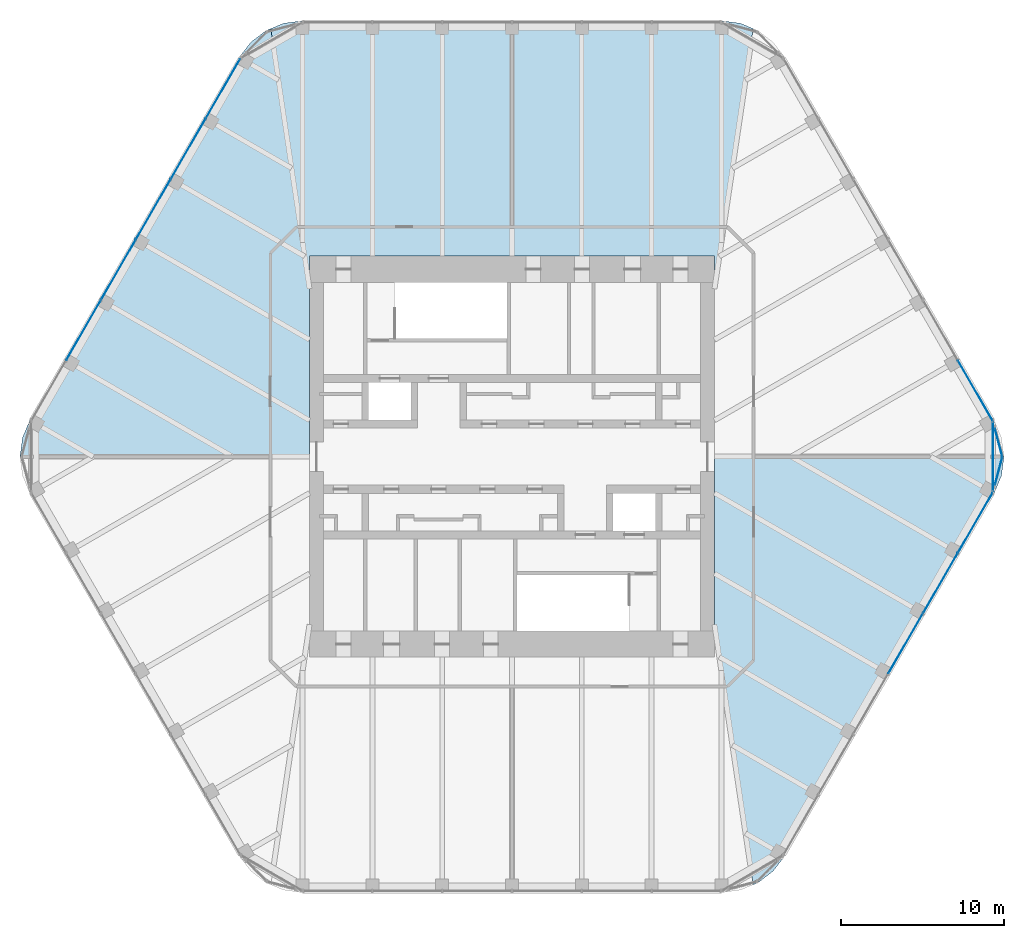
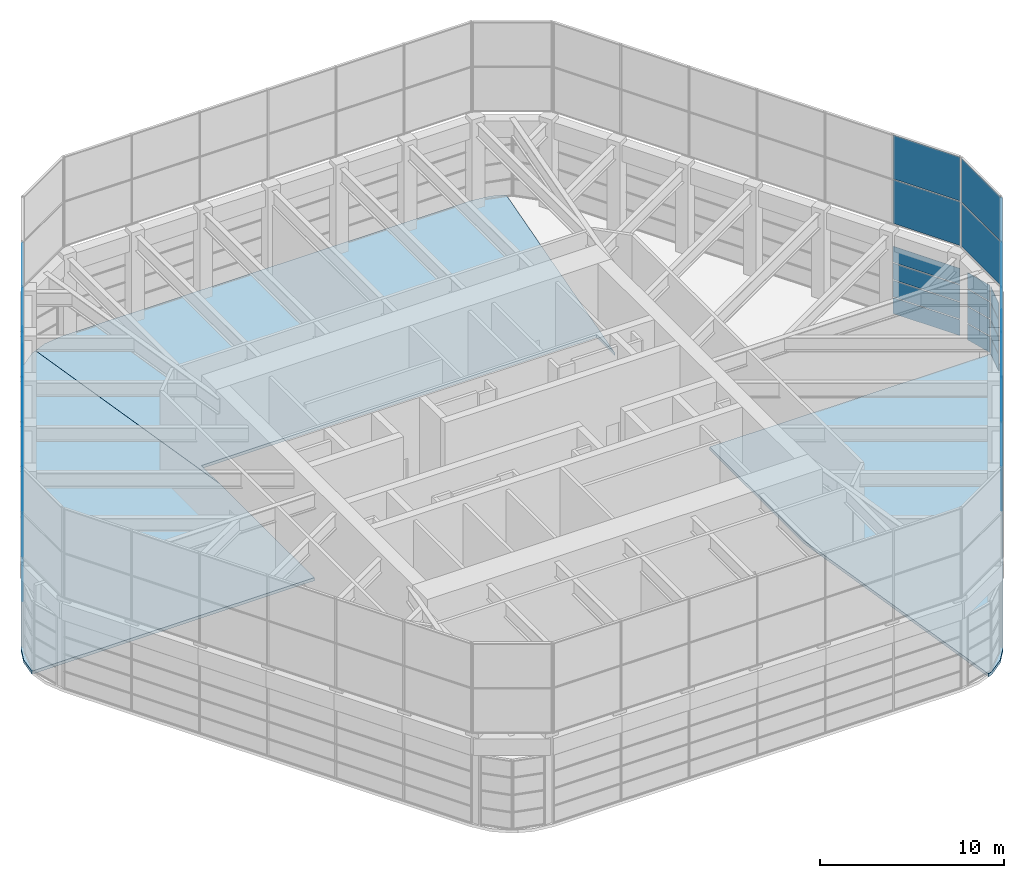
# One storey, part 12 of 17: 61 plates, 3 slabs, 9 elements without a shape of their own.
"""IFC4 building model written with IfcOpenShell, lengths in metres."""

from ifc_helpers import new_model, si_unit, direction, frame, origin, origin_2d, place, context, subcontext, project, spatial, polyline, rectangle, outline, extrude, material, layer, layer_set, type_object, element, aggregate, save


model = new_model("IFC4")

# Units and contexts
model_context = context("Model", 3, precision=1e-05, world=origin(), true_north=direction((0.0, 1.0)))
body_context = subcontext(model_context, "Body", "Model", "MODEL_VIEW")
ifc_project = project(units=[si_unit("LENGTHUNIT", "METRE"), si_unit("AREAUNIT", "SQUARE_METRE"), si_unit("VOLUMEUNIT", "CUBIC_METRE"), si_unit("PLANEANGLEUNIT", "RADIAN"), si_unit("MASSUNIT", "GRAM", prefix="KILO")], contexts=[model_context])

# Site, building, storey
site_placement = place(None, origin())
site = spatial("IfcSite", under=ifc_project, at=site_placement, CompositionType="ELEMENT")
building_placement = place(site_placement, origin())
building = spatial("IfcBuilding", under=site, at=building_placement, Name="Tarfa Lantern Tower", CompositionType="ELEMENT")
storey_placement = place(building_placement, frame((0.0, 0.0, 402.300048828125)))
storey = spatial("IfcBuildingStorey", under=building, at=storey_placement, Name="L91", CompositionType="ELEMENT", Elevation=402.300048828125)

# Curtain wall, plates
ifc_material_1 = material(Name="Aluminium framed curtain wall", Category="aluminium")
curtain_wall_type_1 = type_object("IfcCurtainWallType", Name="CW8 LANTERN GLAZING 4600", PredefinedType="USERDEFINED", material=ifc_material_1)
curtain_wall_1_placement = place(storey_placement, origin())
curtain_wall_1 = element("IfcCurtainWall", 1, at=curtain_wall_1_placement, inside=storey, type_object=curtain_wall_type_1, Name="CW8 SENE1 L91", ObjectType="CURTAIN WALL", PredefinedType="USERDEFINED")
ifc_material_2 = material(Name="Laminated double glazing", Category="glass")
ifc_layer_1 = layer(ifc_material_2, 0.028076171875)
ifc_layer_set_1 = layer_set([ifc_layer_1], Name="CWP1 DOUBLE GLAZED PANEL")
plate_type = type_object("IfcPlateType", Name="CWP1 DOUBLE GLAZED PANEL", PredefinedType="CURTAIN_PANEL", material=ifc_layer_set_1)
plate_1_placement = place(storey_placement, frame((29.8544921875, -0.886962890625, 0.06494140625), z_axis=(0.0, 0.0, 1.0), x_axis=(0.258818953611, 0.965925850804, 0.0)))
plate_1 = element("IfcPlate", 2, at=plate_1_placement, type_object=plate_type, Name="CW8 panel 1.1", PredefinedType="CURTAIN_PANEL", context=body_context, shape_type="SweptSolid", body=[
    extrude(rectangle(XDim=1.706787109375, YDim=0.028076171875, at=origin_2d()), origin(), (0.0, 0.0, 1.0), 1.052490234375),
])
plate_2_placement = place(storey_placement, frame((29.8544921875, -0.886962890625, 1.182373046875), z_axis=(0.0, 0.0, 1.0), x_axis=(0.258818953611, 0.965925850804, 0.0)))
plate_2 = element("IfcPlate", 3, at=plate_2_placement, type_object=plate_type, Name="CW8 panel 1.2", PredefinedType="CURTAIN_PANEL", context=body_context, shape_type="SweptSolid", body=[
    extrude(rectangle(XDim=1.706787109375, YDim=0.028076171875, at=origin_2d()), origin(), (0.0, 0.0, 1.0), 1.0849609375),
])
plate_3_placement = place(storey_placement, frame((29.8544921875, -0.886962890625, 2.33251953125), z_axis=(0.0, 0.0, 1.0), x_axis=(0.258818953611, 0.965925850804, 0.0)))
plate_3 = element("IfcPlate", 4, at=plate_3_placement, type_object=plate_type, Name="CW8 panel 1.3", PredefinedType="CURTAIN_PANEL", context=body_context, shape_type="SweptSolid", body=[
    extrude(rectangle(XDim=1.706787109375, YDim=0.028076171875, at=origin_2d()), origin(), (0.0, 0.0, 1.0), 1.0849609375),
])
plate_4_placement = place(storey_placement, frame((29.8544921875, -0.886962890625, 3.482421875), z_axis=(0.0, 0.0, 1.0), x_axis=(0.258818953611, 0.965925850804, 0.0)))
plate_4 = element("IfcPlate", 5, at=plate_4_placement, type_object=plate_type, Name="CW8 panel 1.4", PredefinedType="CURTAIN_PANEL", context=body_context, shape_type="SweptSolid", body=[
    extrude(rectangle(XDim=1.706787109375, YDim=0.028076171875, at=origin_2d()), origin(), (0.0, 0.0, 1.0), 1.052490234375),
])
aggregate(curtain_wall_1, [plate_1, plate_2, plate_3, plate_4])

curtain_wall_2_placement = place(storey_placement, origin())
curtain_wall_2 = element("IfcCurtainWall", 6, at=curtain_wall_2_placement, inside=storey, type_object=curtain_wall_type_1, Name="CW8 SENE2 L91", ObjectType="CURTAIN WALL", PredefinedType="USERDEFINED")
plate_5_placement = place(storey_placement, frame((29.8544921875, 0.886962890625, 0.06494140625), z_axis=(0.0, 0.0, 1.0), x_axis=(-0.258818953611, 0.965925850804, 0.0)))
plate_5 = element("IfcPlate", 7, at=plate_5_placement, type_object=plate_type, Name="CW8 panel 1.1", PredefinedType="CURTAIN_PANEL", context=body_context, shape_type="SweptSolid", body=[
    extrude(rectangle(XDim=1.706787109375, YDim=0.028076171875, at=origin_2d()), origin(), (0.0, 0.0, 1.0), 1.052490234375),
])
plate_6_placement = place(storey_placement, frame((29.8544921875, 0.886962890625, 1.182373046875), z_axis=(0.0, 0.0, 1.0), x_axis=(-0.258818953611, 0.965925850804, 0.0)))
plate_6 = element("IfcPlate", 8, at=plate_6_placement, type_object=plate_type, Name="CW8 panel 1.2", PredefinedType="CURTAIN_PANEL", context=body_context, shape_type="SweptSolid", body=[
    extrude(rectangle(XDim=1.706787109375, YDim=0.028076171875, at=origin_2d()), origin(), (0.0, 0.0, 1.0), 1.0849609375),
])
plate_7_placement = place(storey_placement, frame((29.8544921875, 0.886962890625, 2.33251953125), z_axis=(0.0, 0.0, 1.0), x_axis=(-0.258818953611, 0.965925850804, 0.0)))
plate_7 = element("IfcPlate", 9, at=plate_7_placement, type_object=plate_type, Name="CW8 panel 1.3", PredefinedType="CURTAIN_PANEL", context=body_context, shape_type="SweptSolid", body=[
    extrude(rectangle(XDim=1.706787109375, YDim=0.028076171875, at=origin_2d()), origin(), (0.0, 0.0, 1.0), 1.0849609375),
])
plate_8_placement = place(storey_placement, frame((29.8544921875, 0.886962890625, 3.482421875), z_axis=(0.0, 0.0, 1.0), x_axis=(-0.258818953611, 0.965925850804, 0.0)))
plate_8 = element("IfcPlate", 10, at=plate_8_placement, type_object=plate_type, Name="CW8 panel 1.4", PredefinedType="CURTAIN_PANEL", context=body_context, shape_type="SweptSolid", body=[
    extrude(rectangle(XDim=1.706787109375, YDim=0.028076171875, at=origin_2d()), origin(), (0.0, 0.0, 1.0), 1.052490234375),
])
aggregate(curtain_wall_2, [plate_5, plate_6, plate_7, plate_8])

curtain_wall_3_placement = place(storey_placement, origin())
curtain_wall_3 = element("IfcCurtainWall", 11, at=curtain_wall_3_placement, inside=storey, type_object=curtain_wall_type_1, Name="CW8 NE L91", ObjectType="CURTAIN WALL", PredefinedType="USERDEFINED")
plate_9_placement = place(storey_placement, frame((28.424072265625, 4.068359375, 0.06494140625), z_axis=(0.0, 0.0, 1.0), x_axis=(-0.5, 0.866025403784, 0.0)))
plate_9 = element("IfcPlate", 12, at=plate_9_placement, type_object=plate_type, Name="CW8 panel 1.1", PredefinedType="CURTAIN_PANEL", context=body_context, shape_type="SweptSolid", body=[
    extrude(rectangle(XDim=4.1845703125, YDim=0.028076171875, at=origin_2d()), origin(), (0.0, 0.0, 1.0), 1.052490234375),
])
plate_10_placement = place(storey_placement, frame((28.424072265625, 4.068359375, 1.182373046875), z_axis=(0.0, 0.0, 1.0), x_axis=(-0.5, 0.866025403784, 0.0)))
plate_10 = element("IfcPlate", 13, at=plate_10_placement, type_object=plate_type, Name="CW8 panel 1.2", PredefinedType="CURTAIN_PANEL", context=body_context, shape_type="SweptSolid", body=[
    extrude(rectangle(XDim=4.1845703125, YDim=0.028076171875, at=origin_2d()), origin(), (0.0, 0.0, 1.0), 1.0849609375),
])
plate_11_placement = place(storey_placement, frame((28.424072265625, 4.068359375, 2.33251953125), z_axis=(0.0, 0.0, 1.0), x_axis=(-0.5, 0.866025403784, 0.0)))
plate_11 = element("IfcPlate", 14, at=plate_11_placement, type_object=plate_type, Name="CW8 panel 1.3", PredefinedType="CURTAIN_PANEL", context=body_context, shape_type="SweptSolid", body=[
    extrude(rectangle(XDim=4.1845703125, YDim=0.028076171875, at=origin_2d()), origin(), (0.0, 0.0, 1.0), 1.0849609375),
])
plate_12_placement = place(storey_placement, frame((28.424072265625, 4.068359375, 3.482421875), z_axis=(0.0, 0.0, 1.0), x_axis=(-0.5, 0.866025403784, 0.0)))
plate_12 = element("IfcPlate", 15, at=plate_12_placement, type_object=plate_type, Name="CW8 panel 1.4", PredefinedType="CURTAIN_PANEL", context=body_context, shape_type="SweptSolid", body=[
    extrude(rectangle(XDim=4.1845703125, YDim=0.028076171875, at=origin_2d()), origin(), (0.0, 0.0, 1.0), 1.052490234375),
])
aggregate(curtain_wall_3, [plate_9, plate_10, plate_11, plate_12])

curtain_wall_4_placement = place(storey_placement, origin())
curtain_wall_4 = element("IfcCurtainWall", 16, at=curtain_wall_4_placement, inside=storey, type_object=curtain_wall_type_1, Name="CW8 NW L91", ObjectType="CURTAIN WALL", PredefinedType="USERDEFINED")
plate_13_placement = place(storey_placement, frame((-17.735107421875, 22.581787109375, 0.06494140625), z_axis=(0.0, 0.0, 1.0), x_axis=(-0.5, -0.866025403784, 0.0)))
plate_13 = element("IfcPlate", 17, at=plate_13_placement, type_object=plate_type, Name="CW8 panel 1.1", PredefinedType="CURTAIN_PANEL", context=body_context, shape_type="SweptSolid", body=[
    extrude(rectangle(XDim=4.1845703125, YDim=0.028076171875, at=origin_2d()), origin(), (0.0, 0.0, 1.0), 1.052490234375),
])
plate_14_placement = place(storey_placement, frame((-17.735107421875, 22.581787109375, 1.182373046875), z_axis=(0.0, 0.0, 1.0), x_axis=(-0.5, -0.866025403784, 0.0)))
plate_14 = element("IfcPlate", 18, at=plate_14_placement, type_object=plate_type, Name="CW8 panel 1.2", PredefinedType="CURTAIN_PANEL", context=body_context, shape_type="SweptSolid", body=[
    extrude(rectangle(XDim=4.1845703125, YDim=0.028076171875, at=origin_2d()), origin(), (0.0, 0.0, 1.0), 1.0849609375),
])
plate_15_placement = place(storey_placement, frame((-17.735107421875, 22.581787109375, 2.33251953125), z_axis=(0.0, 0.0, 1.0), x_axis=(-0.5, -0.866025403784, 0.0)))
plate_15 = element("IfcPlate", 19, at=plate_15_placement, type_object=plate_type, Name="CW8 panel 1.3", PredefinedType="CURTAIN_PANEL", context=body_context, shape_type="SweptSolid", body=[
    extrude(rectangle(XDim=4.1845703125, YDim=0.028076171875, at=origin_2d()), origin(), (0.0, 0.0, 1.0), 1.0849609375),
])
plate_16_placement = place(storey_placement, frame((-19.8681640625, 18.887451171875, 0.06494140625), z_axis=(0.0, 0.0, 1.0), x_axis=(-0.5, -0.866025403784, 0.0)))
plate_16 = element("IfcPlate", 20, at=plate_16_placement, type_object=plate_type, Name="CW8 panel 2.1", PredefinedType="CURTAIN_PANEL", context=body_context, shape_type="SweptSolid", body=[
    extrude(rectangle(XDim=4.217041015625, YDim=0.028076171875, at=origin_2d()), origin(), (0.0, 0.0, 1.0), 1.052490234375),
])
plate_17_placement = place(storey_placement, frame((-19.8681640625, 18.887451171875, 1.182373046875), z_axis=(0.0, 0.0, 1.0), x_axis=(-0.5, -0.866025403784, 0.0)))
plate_17 = element("IfcPlate", 21, at=plate_17_placement, type_object=plate_type, Name="CW8 panel 2.2", PredefinedType="CURTAIN_PANEL", context=body_context, shape_type="SweptSolid", body=[
    extrude(rectangle(XDim=4.217041015625, YDim=0.028076171875, at=origin_2d()), origin(), (0.0, 0.0, 1.0), 1.0849609375),
])
plate_18_placement = place(storey_placement, frame((-19.8681640625, 18.887451171875, 2.33251953125), z_axis=(0.0, 0.0, 1.0), x_axis=(-0.5, -0.866025403784, 0.0)))
plate_18 = element("IfcPlate", 22, at=plate_18_placement, type_object=plate_type, Name="CW8 panel 2.3", PredefinedType="CURTAIN_PANEL", context=body_context, shape_type="SweptSolid", body=[
    extrude(rectangle(XDim=4.217041015625, YDim=0.028076171875, at=origin_2d()), origin(), (0.0, 0.0, 1.0), 1.0849609375),
])
plate_19_placement = place(storey_placement, frame((-19.8681640625, 18.887451171875, 3.482421875), z_axis=(0.0, 0.0, 1.0), x_axis=(-0.5, -0.866025403784, 0.0)))
plate_19 = element("IfcPlate", 23, at=plate_19_placement, type_object=plate_type, Name="CW8 panel 2.4", PredefinedType="CURTAIN_PANEL", context=body_context, shape_type="SweptSolid", body=[
    extrude(rectangle(XDim=4.217041015625, YDim=0.028076171875, at=origin_2d()), origin(), (0.0, 0.0, 1.0), 1.052490234375),
])
plate_20_placement = place(storey_placement, frame((-22.009033203125, 15.17919921875, 0.06494140625), z_axis=(0.0, 0.0, 1.0), x_axis=(-0.5, -0.866025403784, 0.0)))
plate_20 = element("IfcPlate", 24, at=plate_20_placement, type_object=plate_type, Name="CW8 panel 3.1", PredefinedType="CURTAIN_PANEL", context=body_context, shape_type="SweptSolid", body=[
    extrude(rectangle(XDim=4.217041015625, YDim=0.028076171875, at=origin_2d()), origin(), (0.0, 0.0, 1.0), 1.052490234375),
])
plate_21_placement = place(storey_placement, frame((-22.009033203125, 15.17919921875, 1.182373046875), z_axis=(0.0, 0.0, 1.0), x_axis=(-0.5, -0.866025403784, 0.0)))
plate_21 = element("IfcPlate", 25, at=plate_21_placement, type_object=plate_type, Name="CW8 panel 3.2", PredefinedType="CURTAIN_PANEL", context=body_context, shape_type="SweptSolid", body=[
    extrude(rectangle(XDim=4.217041015625, YDim=0.028076171875, at=origin_2d()), origin(), (0.0, 0.0, 1.0), 1.0849609375),
])
plate_22_placement = place(storey_placement, frame((-22.009033203125, 15.17919921875, 2.33251953125), z_axis=(0.0, 0.0, 1.0), x_axis=(-0.5, -0.866025403784, 0.0)))
plate_22 = element("IfcPlate", 26, at=plate_22_placement, type_object=plate_type, Name="CW8 panel 3.3", PredefinedType="CURTAIN_PANEL", context=body_context, shape_type="SweptSolid", body=[
    extrude(rectangle(XDim=4.217041015625, YDim=0.028076171875, at=origin_2d()), origin(), (0.0, 0.0, 1.0), 1.0849609375),
])
plate_23_placement = place(storey_placement, frame((-22.009033203125, 15.17919921875, 3.482421875), z_axis=(0.0, 0.0, 1.0), x_axis=(-0.5, -0.866025403784, 0.0)))
plate_23 = element("IfcPlate", 27, at=plate_23_placement, type_object=plate_type, Name="CW8 panel 3.4", PredefinedType="CURTAIN_PANEL", context=body_context, shape_type="SweptSolid", body=[
    extrude(rectangle(XDim=4.217041015625, YDim=0.028076171875, at=origin_2d()), origin(), (0.0, 0.0, 1.0), 1.052490234375),
])
plate_24_placement = place(storey_placement, frame((-24.150146484375, 11.470947265625, 0.06494140625), z_axis=(0.0, 0.0, 1.0), x_axis=(-0.5, -0.866025403784, 0.0)))
plate_24 = element("IfcPlate", 28, at=plate_24_placement, type_object=plate_type, Name="CW8 panel 4.1", PredefinedType="CURTAIN_PANEL", context=body_context, shape_type="SweptSolid", body=[
    extrude(rectangle(XDim=4.217041015625, YDim=0.028076171875, at=origin_2d()), origin(), (0.0, 0.0, 1.0), 1.052490234375),
])
plate_25_placement = place(storey_placement, frame((-24.150146484375, 11.470947265625, 1.182373046875), z_axis=(0.0, 0.0, 1.0), x_axis=(-0.5, -0.866025403784, 0.0)))
plate_25 = element("IfcPlate", 29, at=plate_25_placement, type_object=plate_type, Name="CW8 panel 4.2", PredefinedType="CURTAIN_PANEL", context=body_context, shape_type="SweptSolid", body=[
    extrude(rectangle(XDim=4.217041015625, YDim=0.028076171875, at=origin_2d()), origin(), (0.0, 0.0, 1.0), 1.0849609375),
])
plate_26_placement = place(storey_placement, frame((-24.150146484375, 11.470947265625, 2.33251953125), z_axis=(0.0, 0.0, 1.0), x_axis=(-0.5, -0.866025403784, 0.0)))
plate_26 = element("IfcPlate", 30, at=plate_26_placement, type_object=plate_type, Name="CW8 panel 4.3", PredefinedType="CURTAIN_PANEL", context=body_context, shape_type="SweptSolid", body=[
    extrude(rectangle(XDim=4.217041015625, YDim=0.028076171875, at=origin_2d()), origin(), (0.0, 0.0, 1.0), 1.0849609375),
])
plate_27_placement = place(storey_placement, frame((-24.150146484375, 11.470947265625, 3.482421875), z_axis=(0.0, 0.0, 1.0), x_axis=(-0.5, -0.866025403784, 0.0)))
plate_27 = element("IfcPlate", 31, at=plate_27_placement, type_object=plate_type, Name="CW8 panel 4.4", PredefinedType="CURTAIN_PANEL", context=body_context, shape_type="SweptSolid", body=[
    extrude(rectangle(XDim=4.217041015625, YDim=0.028076171875, at=origin_2d()), origin(), (0.0, 0.0, 1.0), 1.052490234375),
])
plate_28_placement = place(storey_placement, frame((-26.291015625, 7.762451171875, 0.06494140625), z_axis=(0.0, 0.0, 1.0), x_axis=(-0.5, -0.866025403784, 0.0)))
plate_28 = element("IfcPlate", 32, at=plate_28_placement, type_object=plate_type, Name="CW8 panel 5.1", PredefinedType="CURTAIN_PANEL", context=body_context, shape_type="SweptSolid", body=[
    extrude(rectangle(XDim=4.217041015625, YDim=0.028076171875, at=origin_2d()), origin(), (0.0, 0.0, 1.0), 1.052490234375),
])
plate_29_placement = place(storey_placement, frame((-26.291015625, 7.762451171875, 1.182373046875), z_axis=(0.0, 0.0, 1.0), x_axis=(-0.5, -0.866025403784, 0.0)))
plate_29 = element("IfcPlate", 33, at=plate_29_placement, type_object=plate_type, Name="CW8 panel 5.2", PredefinedType="CURTAIN_PANEL", context=body_context, shape_type="SweptSolid", body=[
    extrude(rectangle(XDim=4.217041015625, YDim=0.028076171875, at=origin_2d()), origin(), (0.0, 0.0, 1.0), 1.0849609375),
])
plate_30_placement = place(storey_placement, frame((-26.291015625, 7.762451171875, 2.33251953125), z_axis=(0.0, 0.0, 1.0), x_axis=(-0.5, -0.866025403784, 0.0)))
plate_30 = element("IfcPlate", 34, at=plate_30_placement, type_object=plate_type, Name="CW8 panel 5.3", PredefinedType="CURTAIN_PANEL", context=body_context, shape_type="SweptSolid", body=[
    extrude(rectangle(XDim=4.217041015625, YDim=0.028076171875, at=origin_2d()), origin(), (0.0, 0.0, 1.0), 1.0849609375),
])
plate_31_placement = place(storey_placement, frame((-26.291015625, 7.762451171875, 3.482421875), z_axis=(0.0, 0.0, 1.0), x_axis=(-0.5, -0.866025403784, 0.0)))
plate_31 = element("IfcPlate", 35, at=plate_31_placement, type_object=plate_type, Name="CW8 panel 5.4", PredefinedType="CURTAIN_PANEL", context=body_context, shape_type="SweptSolid", body=[
    extrude(rectangle(XDim=4.217041015625, YDim=0.028076171875, at=origin_2d()), origin(), (0.0, 0.0, 1.0), 1.052490234375),
])
aggregate(curtain_wall_4, [plate_13, plate_14, plate_15, plate_16, plate_17, plate_18, plate_19, plate_20, plate_21, plate_22, plate_23, plate_24, plate_25, plate_26, plate_27, plate_28, plate_29, plate_30, plate_31])

curtain_wall_5_placement = place(storey_placement, origin())
curtain_wall_5 = element("IfcCurtainWall", 36, at=curtain_wall_5_placement, inside=storey, type_object=curtain_wall_type_1, Name="CW8 SE L91", ObjectType="CURTAIN WALL", PredefinedType="USERDEFINED")
plate_32_placement = place(storey_placement, frame((24.150146484375, -11.470947265625, 0.06494140625), z_axis=(0.0, 0.0, 1.0), x_axis=(0.5, 0.866025403784, 0.0)))
plate_32 = element("IfcPlate", 37, at=plate_32_placement, type_object=plate_type, Name="CW8 panel 4.1", PredefinedType="CURTAIN_PANEL", context=body_context, shape_type="SweptSolid", body=[
    extrude(rectangle(XDim=4.217041015625, YDim=0.028076171875, at=origin_2d()), origin(), (0.0, 0.0, 1.0), 1.052490234375),
])
plate_33_placement = place(storey_placement, frame((24.150146484375, -11.470947265625, 1.182373046875), z_axis=(0.0, 0.0, 1.0), x_axis=(0.5, 0.866025403784, 0.0)))
plate_33 = element("IfcPlate", 38, at=plate_33_placement, type_object=plate_type, Name="CW8 panel 4.2", PredefinedType="CURTAIN_PANEL", context=body_context, shape_type="SweptSolid", body=[
    extrude(rectangle(XDim=4.217041015625, YDim=0.028076171875, at=origin_2d()), origin(), (0.0, 0.0, 1.0), 1.0849609375),
])
plate_34_placement = place(storey_placement, frame((24.150146484375, -11.470947265625, 2.33251953125), z_axis=(0.0, 0.0, 1.0), x_axis=(0.5, 0.866025403784, 0.0)))
plate_34 = element("IfcPlate", 39, at=plate_34_placement, type_object=plate_type, Name="CW8 panel 4.3", PredefinedType="CURTAIN_PANEL", context=body_context, shape_type="SweptSolid", body=[
    extrude(rectangle(XDim=4.217041015625, YDim=0.028076171875, at=origin_2d()), origin(), (0.0, 0.0, 1.0), 1.0849609375),
])
plate_35_placement = place(storey_placement, frame((24.150146484375, -11.470947265625, 3.482421875), z_axis=(0.0, 0.0, 1.0), x_axis=(0.5, 0.866025403784, 0.0)))
plate_35 = element("IfcPlate", 40, at=plate_35_placement, type_object=plate_type, Name="CW8 panel 4.4", PredefinedType="CURTAIN_PANEL", context=body_context, shape_type="SweptSolid", body=[
    extrude(rectangle(XDim=4.217041015625, YDim=0.028076171875, at=origin_2d()), origin(), (0.0, 0.0, 1.0), 1.052490234375),
])
plate_36_placement = place(storey_placement, frame((26.291015625, -7.762451171875, 0.06494140625), z_axis=(0.0, 0.0, 1.0), x_axis=(0.5, 0.866025403784, 0.0)))
plate_36 = element("IfcPlate", 41, at=plate_36_placement, type_object=plate_type, Name="CW8 panel 5.1", PredefinedType="CURTAIN_PANEL", context=body_context, shape_type="SweptSolid", body=[
    extrude(rectangle(XDim=4.217041015625, YDim=0.028076171875, at=origin_2d()), origin(), (0.0, 0.0, 1.0), 1.052490234375),
])
plate_37_placement = place(storey_placement, frame((26.291015625, -7.762451171875, 1.182373046875), z_axis=(0.0, 0.0, 1.0), x_axis=(0.5, 0.866025403784, 0.0)))
plate_37 = element("IfcPlate", 42, at=plate_37_placement, type_object=plate_type, Name="CW8 panel 5.2", PredefinedType="CURTAIN_PANEL", context=body_context, shape_type="SweptSolid", body=[
    extrude(rectangle(XDim=4.217041015625, YDim=0.028076171875, at=origin_2d()), origin(), (0.0, 0.0, 1.0), 1.0849609375),
])
plate_38_placement = place(storey_placement, frame((26.291015625, -7.762451171875, 2.33251953125), z_axis=(0.0, 0.0, 1.0), x_axis=(0.5, 0.866025403784, 0.0)))
plate_38 = element("IfcPlate", 43, at=plate_38_placement, type_object=plate_type, Name="CW8 panel 5.3", PredefinedType="CURTAIN_PANEL", context=body_context, shape_type="SweptSolid", body=[
    extrude(rectangle(XDim=4.217041015625, YDim=0.028076171875, at=origin_2d()), origin(), (0.0, 0.0, 1.0), 1.0849609375),
])
plate_39_placement = place(storey_placement, frame((26.291015625, -7.762451171875, 3.482421875), z_axis=(0.0, 0.0, 1.0), x_axis=(0.5, 0.866025403784, 0.0)))
plate_39 = element("IfcPlate", 44, at=plate_39_placement, type_object=plate_type, Name="CW8 panel 5.4", PredefinedType="CURTAIN_PANEL", context=body_context, shape_type="SweptSolid", body=[
    extrude(rectangle(XDim=4.217041015625, YDim=0.028076171875, at=origin_2d()), origin(), (0.0, 0.0, 1.0), 1.052490234375),
])
plate_40_placement = place(storey_placement, frame((28.424072265625, -4.068359375, 0.06494140625), z_axis=(0.0, 0.0, 1.0), x_axis=(0.5, 0.866025403784, 0.0)))
plate_40 = element("IfcPlate", 45, at=plate_40_placement, type_object=plate_type, Name="CW8 panel 6.1", PredefinedType="CURTAIN_PANEL", context=body_context, shape_type="SweptSolid", body=[
    extrude(rectangle(XDim=4.1845703125, YDim=0.028076171875, at=origin_2d()), origin(), (0.0, 0.0, 1.0), 1.052490234375),
])
plate_41_placement = place(storey_placement, frame((28.424072265625, -4.068359375, 1.182373046875), z_axis=(0.0, 0.0, 1.0), x_axis=(0.5, 0.866025403784, 0.0)))
plate_41 = element("IfcPlate", 46, at=plate_41_placement, type_object=plate_type, Name="CW8 panel 6.2", PredefinedType="CURTAIN_PANEL", context=body_context, shape_type="SweptSolid", body=[
    extrude(rectangle(XDim=4.1845703125, YDim=0.028076171875, at=origin_2d()), origin(), (0.0, 0.0, 1.0), 1.0849609375),
])
plate_42_placement = place(storey_placement, frame((28.424072265625, -4.068359375, 2.33251953125), z_axis=(0.0, 0.0, 1.0), x_axis=(0.5, 0.866025403784, 0.0)))
plate_42 = element("IfcPlate", 47, at=plate_42_placement, type_object=plate_type, Name="CW8 panel 6.3", PredefinedType="CURTAIN_PANEL", context=body_context, shape_type="SweptSolid", body=[
    extrude(rectangle(XDim=4.1845703125, YDim=0.028076171875, at=origin_2d()), origin(), (0.0, 0.0, 1.0), 1.0849609375),
])
plate_43_placement = place(storey_placement, frame((28.424072265625, -4.068359375, 3.482421875), z_axis=(0.0, 0.0, 1.0), x_axis=(0.5, 0.866025403784, 0.0)))
plate_43 = element("IfcPlate", 48, at=plate_43_placement, type_object=plate_type, Name="CW8 panel 6.4", PredefinedType="CURTAIN_PANEL", context=body_context, shape_type="SweptSolid", body=[
    extrude(rectangle(XDim=4.1845703125, YDim=0.028076171875, at=origin_2d()), origin(), (0.0, 0.0, 1.0), 1.052490234375),
])
aggregate(curtain_wall_5, [plate_32, plate_33, plate_34, plate_35, plate_36, plate_37, plate_38, plate_39, plate_40, plate_41, plate_42, plate_43])

curtain_wall_type_2 = type_object("IfcCurtainWallType", Name="CW9 CROWN SCREEN GLAZING 6000", PredefinedType="USERDEFINED", material=ifc_material_1)
curtain_wall_6_placement = place(storey_placement, origin())
curtain_wall_6 = element("IfcCurtainWall", 49, at=curtain_wall_6_placement, inside=storey, type_object=curtain_wall_type_2, Name="CW9 NE L91", ObjectType="CURTAIN WALL", PredefinedType="USERDEFINED")
plate_44_placement = place(storey_placement, frame((28.424072265625, 4.068359375, 6.06494140625), z_axis=(0.0, 0.0, 1.0), x_axis=(-0.5, 0.866025403784, 0.0)))
plate_44 = element("IfcPlate", 50, at=plate_44_placement, type_object=plate_type, Name="CW9 panel 1.1", PredefinedType="CURTAIN_PANEL", context=body_context, shape_type="SweptSolid", body=[
    extrude(rectangle(XDim=4.1845703125, YDim=0.028076171875, at=origin_2d()), origin(), (0.0, 0.0, 1.0), 2.902587890625),
])
plate_45_placement = place(storey_placement, frame((28.424072265625, 4.068359375, 9.0322265625), z_axis=(0.0, 0.0, 1.0), x_axis=(-0.5, 0.866025403784, 0.0)))
plate_45 = element("IfcPlate", 51, at=plate_45_placement, type_object=plate_type, Name="CW9 panel 1.2", PredefinedType="CURTAIN_PANEL", context=body_context, shape_type="SweptSolid", body=[
    extrude(rectangle(XDim=4.1845703125, YDim=0.028076171875, at=origin_2d()), origin(), (0.0, 0.0, 1.0), 2.902587890625),
])
aggregate(curtain_wall_6, [plate_44, plate_45])

curtain_wall_7_placement = place(storey_placement, origin())
curtain_wall_7 = element("IfcCurtainWall", 52, at=curtain_wall_7_placement, inside=storey, type_object=curtain_wall_type_2, Name="CW9 NW L91", ObjectType="CURTAIN WALL", PredefinedType="USERDEFINED")
plate_46_placement = place(storey_placement, frame((-19.8681640625, 18.887451171875, 6.06494140625), z_axis=(0.0, 0.0, 1.0), x_axis=(-0.5, -0.866025403784, 0.0)))
plate_46 = element("IfcPlate", 53, at=plate_46_placement, type_object=plate_type, Name="CW9 panel 2.1", PredefinedType="CURTAIN_PANEL", context=body_context, shape_type="SweptSolid", body=[
    extrude(rectangle(XDim=4.217041015625, YDim=0.028076171875, at=origin_2d()), origin(), (0.0, 0.0, 1.0), 2.902587890625),
])
plate_47_placement = place(storey_placement, frame((-19.8681640625, 18.887451171875, 9.0322265625), z_axis=(0.0, 0.0, 1.0), x_axis=(-0.5, -0.866025403784, 0.0)))
plate_47 = element("IfcPlate", 54, at=plate_47_placement, type_object=plate_type, Name="CW9 panel 2.2", PredefinedType="CURTAIN_PANEL", context=body_context, shape_type="SweptSolid", body=[
    extrude(rectangle(XDim=4.217041015625, YDim=0.028076171875, at=origin_2d()), origin(), (0.0, 0.0, 1.0), 2.902587890625),
])
plate_48_placement = place(storey_placement, frame((-22.009033203125, 15.17919921875, 6.06494140625), z_axis=(0.0, 0.0, 1.0), x_axis=(-0.5, -0.866025403784, 0.0)))
plate_48 = element("IfcPlate", 55, at=plate_48_placement, type_object=plate_type, Name="CW9 panel 3.1", PredefinedType="CURTAIN_PANEL", context=body_context, shape_type="SweptSolid", body=[
    extrude(rectangle(XDim=4.217041015625, YDim=0.028076171875, at=origin_2d()), origin(), (0.0, 0.0, 1.0), 2.902587890625),
])
plate_49_placement = place(storey_placement, frame((-22.009033203125, 15.17919921875, 9.0322265625), z_axis=(0.0, 0.0, 1.0), x_axis=(-0.5, -0.866025403784, 0.0)))
plate_49 = element("IfcPlate", 56, at=plate_49_placement, type_object=plate_type, Name="CW9 panel 3.2", PredefinedType="CURTAIN_PANEL", context=body_context, shape_type="SweptSolid", body=[
    extrude(rectangle(XDim=4.217041015625, YDim=0.028076171875, at=origin_2d()), origin(), (0.0, 0.0, 1.0), 2.902587890625),
])
plate_50_placement = place(storey_placement, frame((-24.150146484375, 11.470947265625, 6.06494140625), z_axis=(0.0, 0.0, 1.0), x_axis=(-0.5, -0.866025403784, 0.0)))
plate_50 = element("IfcPlate", 57, at=plate_50_placement, type_object=plate_type, Name="CW9 panel 4.1", PredefinedType="CURTAIN_PANEL", context=body_context, shape_type="SweptSolid", body=[
    extrude(rectangle(XDim=4.217041015625, YDim=0.028076171875, at=origin_2d()), origin(), (0.0, 0.0, 1.0), 2.902587890625),
])
plate_51_placement = place(storey_placement, frame((-24.150146484375, 11.470947265625, 9.0322265625), z_axis=(0.0, 0.0, 1.0), x_axis=(-0.5, -0.866025403784, 0.0)))
plate_51 = element("IfcPlate", 58, at=plate_51_placement, type_object=plate_type, Name="CW9 panel 4.2", PredefinedType="CURTAIN_PANEL", context=body_context, shape_type="SweptSolid", body=[
    extrude(rectangle(XDim=4.217041015625, YDim=0.028076171875, at=origin_2d()), origin(), (0.0, 0.0, 1.0), 2.902587890625),
])
plate_52_placement = place(storey_placement, frame((-26.291015625, 7.762451171875, 6.06494140625), z_axis=(0.0, 0.0, 1.0), x_axis=(-0.5, -0.866025403784, 0.0)))
plate_52 = element("IfcPlate", 59, at=plate_52_placement, type_object=plate_type, Name="CW9 panel 5.1", PredefinedType="CURTAIN_PANEL", context=body_context, shape_type="SweptSolid", body=[
    extrude(rectangle(XDim=4.217041015625, YDim=0.028076171875, at=origin_2d()), origin(), (0.0, 0.0, 1.0), 2.902587890625),
])
plate_53_placement = place(storey_placement, frame((-26.291015625, 7.762451171875, 9.0322265625), z_axis=(0.0, 0.0, 1.0), x_axis=(-0.5, -0.866025403784, 0.0)))
plate_53 = element("IfcPlate", 60, at=plate_53_placement, type_object=plate_type, Name="CW9 panel 5.2", PredefinedType="CURTAIN_PANEL", context=body_context, shape_type="SweptSolid", body=[
    extrude(rectangle(XDim=4.217041015625, YDim=0.028076171875, at=origin_2d()), origin(), (0.0, 0.0, 1.0), 2.902587890625),
])
aggregate(curtain_wall_7, [plate_46, plate_47, plate_48, plate_49, plate_50, plate_51, plate_52, plate_53])

curtain_wall_8_placement = place(storey_placement, origin())
curtain_wall_8 = element("IfcCurtainWall", 61, at=curtain_wall_8_placement, inside=storey, type_object=curtain_wall_type_2, Name="CW9 SE L91", ObjectType="CURTAIN WALL", PredefinedType="USERDEFINED")
plate_54_placement = place(storey_placement, frame((24.150146484375, -11.470947265625, 6.06494140625), z_axis=(0.0, 0.0, 1.0), x_axis=(0.5, 0.866025403784, 0.0)))
plate_54 = element("IfcPlate", 62, at=plate_54_placement, type_object=plate_type, Name="CW9 panel 4.1", PredefinedType="CURTAIN_PANEL", context=body_context, shape_type="SweptSolid", body=[
    extrude(rectangle(XDim=4.217041015625, YDim=0.028076171875, at=origin_2d()), origin(), (0.0, 0.0, 1.0), 2.902587890625),
])
plate_55_placement = place(storey_placement, frame((24.150146484375, -11.470947265625, 9.0322265625), z_axis=(0.0, 0.0, 1.0), x_axis=(0.5, 0.866025403784, 0.0)))
plate_55 = element("IfcPlate", 63, at=plate_55_placement, type_object=plate_type, Name="CW9 panel 4.2", PredefinedType="CURTAIN_PANEL", context=body_context, shape_type="SweptSolid", body=[
    extrude(rectangle(XDim=4.217041015625, YDim=0.028076171875, at=origin_2d()), origin(), (0.0, 0.0, 1.0), 2.902587890625),
])
plate_56_placement = place(storey_placement, frame((26.291015625, -7.762451171875, 6.06494140625), z_axis=(0.0, 0.0, 1.0), x_axis=(0.5, 0.866025403784, 0.0)))
plate_56 = element("IfcPlate", 64, at=plate_56_placement, type_object=plate_type, Name="CW9 panel 5.1", PredefinedType="CURTAIN_PANEL", context=body_context, shape_type="SweptSolid", body=[
    extrude(rectangle(XDim=4.217041015625, YDim=0.028076171875, at=origin_2d()), origin(), (0.0, 0.0, 1.0), 2.902587890625),
])
plate_57_placement = place(storey_placement, frame((26.291015625, -7.762451171875, 9.0322265625), z_axis=(0.0, 0.0, 1.0), x_axis=(0.5, 0.866025403784, 0.0)))
plate_57 = element("IfcPlate", 65, at=plate_57_placement, type_object=plate_type, Name="CW9 panel 5.2", PredefinedType="CURTAIN_PANEL", context=body_context, shape_type="SweptSolid", body=[
    extrude(rectangle(XDim=4.217041015625, YDim=0.028076171875, at=origin_2d()), origin(), (0.0, 0.0, 1.0), 2.902587890625),
])
plate_58_placement = place(storey_placement, frame((28.424072265625, -4.068359375, 6.06494140625), z_axis=(0.0, 0.0, 1.0), x_axis=(0.5, 0.866025403784, 0.0)))
plate_58 = element("IfcPlate", 66, at=plate_58_placement, type_object=plate_type, Name="CW9 panel 6.1", PredefinedType="CURTAIN_PANEL", context=body_context, shape_type="SweptSolid", body=[
    extrude(rectangle(XDim=4.1845703125, YDim=0.028076171875, at=origin_2d()), origin(), (0.0, 0.0, 1.0), 2.902587890625),
])
plate_59_placement = place(storey_placement, frame((28.424072265625, -4.068359375, 9.0322265625), z_axis=(0.0, 0.0, 1.0), x_axis=(0.5, 0.866025403784, 0.0)))
plate_59 = element("IfcPlate", 67, at=plate_59_placement, type_object=plate_type, Name="CW9 panel 6.2", PredefinedType="CURTAIN_PANEL", context=body_context, shape_type="SweptSolid", body=[
    extrude(rectangle(XDim=4.1845703125, YDim=0.028076171875, at=origin_2d()), origin(), (0.0, 0.0, 1.0), 2.902587890625),
])
aggregate(curtain_wall_8, [plate_54, plate_55, plate_56, plate_57, plate_58, plate_59])

curtain_wall_9_placement = place(storey_placement, origin())
curtain_wall_9 = element("IfcCurtainWall", 68, at=curtain_wall_9_placement, inside=storey, type_object=curtain_wall_type_2, Name="CW9 SENE L91", ObjectType="CURTAIN WALL", PredefinedType="USERDEFINED")
plate_60_placement = place(storey_placement, frame((29.502685546875, 0.0, 6.06494140625), z_axis=(0.0, 0.0, 1.0), x_axis=(0.0, 1.0, 0.0)))
plate_60 = element("IfcPlate", 69, at=plate_60_placement, type_object=plate_type, Name="CW9 panel 1.1", PredefinedType="CURTAIN_PANEL", context=body_context, shape_type="SweptSolid", body=[
    extrude(rectangle(XDim=4.27001953125, YDim=0.028076171875, at=origin_2d()), origin(), (0.0, 0.0, 1.0), 2.902587890625),
])
plate_61_placement = place(storey_placement, frame((29.502685546875, 0.0, 9.0322265625), z_axis=(0.0, 0.0, 1.0), x_axis=(0.0, 1.0, 0.0)))
plate_61 = element("IfcPlate", 70, at=plate_61_placement, type_object=plate_type, Name="CW9 panel 1.2", PredefinedType="CURTAIN_PANEL", context=body_context, shape_type="SweptSolid", body=[
    extrude(rectangle(XDim=4.27001953125, YDim=0.028076171875, at=origin_2d()), origin(), (0.0, 0.0, 1.0), 2.902587890625),
])
aggregate(curtain_wall_9, [plate_60, plate_61])

# Slabs
ifc_material_3 = material(Name="Concrete C40/50", Category="concrete")
ifc_layer_2 = layer(ifc_material_3, 0.199951171875)
ifc_layer_set_2 = layer_set([ifc_layer_2], Name="FS1 FLOOR SLAB 200")
slab_type = type_object("IfcSlabType", Name="FS1 FLOOR SLAB 200", PredefinedType="FLOOR", material=ifc_layer_set_2)
slab_1_placement = place(storey_placement, frame((0.0, 0.0, -0.199951171875)))
element("IfcSlab", 71, at=slab_1_placement, inside=storey, type_object=slab_type, Name="Floor slab L91 N bay", PredefinedType="FLOOR", context=body_context, shape_type="SweptSolid", body=[
    extrude(outline(polyline([(-12.427001953125, 10.3271484375), (-12.427001953125, 12.302001953125), (12.427001953125, 12.302001953125), (12.427001953125, 10.3271484375), (14.79833984375, 26.268310546875), (14.01025390625, 26.5947265625), (12.845947265625, 26.748046875), (-12.845947265625, 26.748046875), (-14.01025390625, 26.5947265625), (-14.79833984375, 26.268310546875), (-12.427001953125, 10.3271484375)])), origin(), (0.0, 0.0, 1.0), 0.199951171875),
])
slab_2_placement = place(storey_placement, frame((0.0, 0.0, -0.199951171875)))
element("IfcSlab", 72, at=slab_2_placement, inside=storey, type_object=slab_type, Name="Floor slab L91 NW bay", PredefinedType="FLOOR", context=body_context, shape_type="SweptSolid", body=[
    extrude(outline(polyline([(-12.427001953125, 0.001953125), (-12.427001953125, 10.2998046875), (-14.802001953125, 26.2666015625), (-15.094970703125, 26.145263671875), (-16.026611328125, 25.4306640625), (-16.741455078125, 24.498779296875), (-29.58740234375, 2.2490234375), (-30.036865234375, 1.1640625), (-30.189697265625, 0.001953125), (-12.427001953125, 0.001953125)])), origin(), (0.0, 0.0, 1.0), 0.199951171875),
])
slab_3_placement = place(storey_placement, frame((0.0, 0.0, -0.199951171875)))
element("IfcSlab", 73, at=slab_3_placement, inside=storey, type_object=slab_type, Name="Floor slab L91 SE bay", PredefinedType="FLOOR", context=body_context, shape_type="SweptSolid", body=[
    extrude(outline(polyline([(12.427001953125, -0.001953125), (12.427001953125, -10.2998046875), (14.802001953125, -26.2666015625), (15.094970703125, -26.145263671875), (16.026611328125, -25.4306640625), (16.741455078125, -24.498779296875), (29.58740234375, -2.2490234375), (30.036865234375, -1.1640625), (30.189697265625, -0.001953125), (12.427001953125, -0.001953125)])), origin(), (0.0, 0.0, 1.0), 0.199951171875),
])

save(model, "model.ifc")
